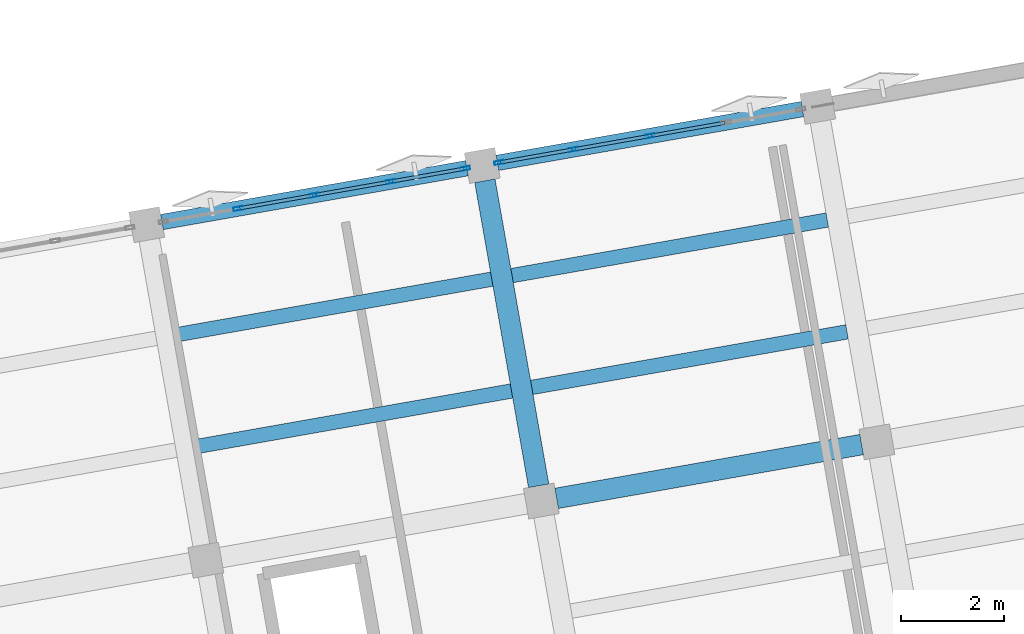
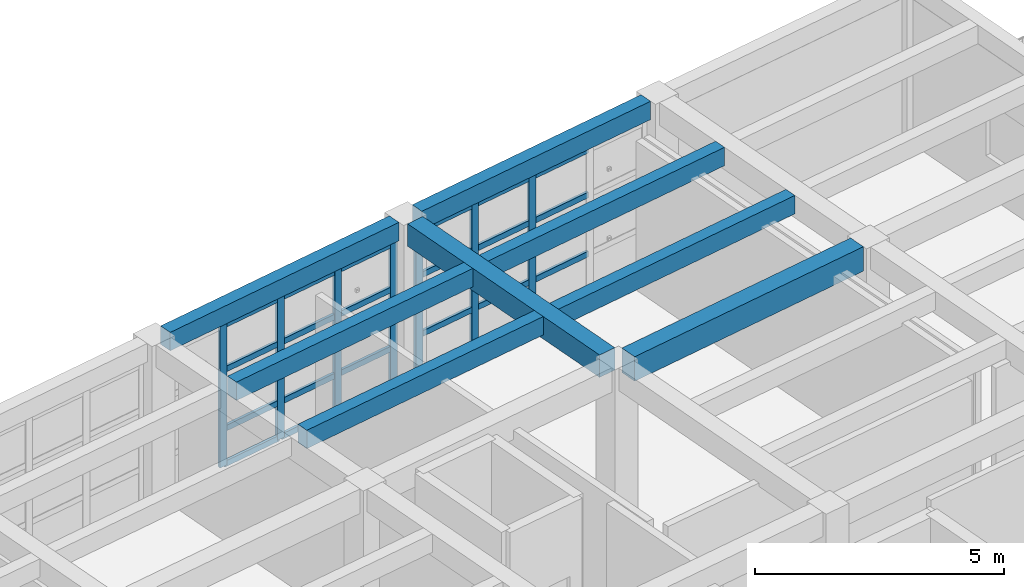
# One storey, part 7 of 18: 31 members, 8 beams, 2 elements without a shape of their own.
"""IFC4 building model written with IfcOpenShell, lengths in metres."""

from ifc_helpers import new_model, si_unit, direction, frame, origin, origin_2d, place, context, subcontext, project, spatial, rectangle, hollow_rectangle, extrude, material, layer, layer_set, material_profile, profile_set, type_object, element, aggregate, save


model = new_model("IFC4")

# Units and contexts
model_context = context("Model", 3, precision=1e-05, world=origin(), true_north=direction((0.0, 1.0)))
body_context = subcontext(model_context, "Body", "Model", "MODEL_VIEW")
ifc_project = project(units=[si_unit("LENGTHUNIT", "METRE"), si_unit("AREAUNIT", "SQUARE_METRE"), si_unit("VOLUMEUNIT", "CUBIC_METRE"), si_unit("PLANEANGLEUNIT", "RADIAN"), si_unit("MASSUNIT", "GRAM", prefix="KILO")], contexts=[model_context])

# Site, building, storey
site_placement = place(None, origin())
site = spatial("IfcSite", under=ifc_project, at=site_placement, CompositionType="ELEMENT")
building_placement = place(site_placement, origin())
building = spatial("IfcBuilding", under=site, at=building_placement, Name="Kharisveld Research Institute", CompositionType="ELEMENT")
storey_placement = place(building_placement, frame((0.0, 0.0, 36.60009765625)))
storey = spatial("IfcBuildingStorey", under=building, at=storey_placement, Name="L08", CompositionType="ELEMENT", Elevation=36.60009765625)

# Beams
ifc_material_1 = material(Name="Concrete C40/50", Category="concrete")
ifc_material_profile_1 = material_profile(ifc_material_1, rectangle(XDim=0.39990234375, YDim=0.550048828125, at=origin_2d()))
ifc_profile_set_1 = profile_set([ifc_material_profile_1], Name="Concrete C40/50")
beam_type_1 = type_object("IfcBeamType", Name="BM_RC_400x550", PredefinedType="BEAM", material=ifc_profile_set_1)
beam_1_placement = place(storey_placement, frame((22.35498046875, 51.7431640625, 3.744873046875), z_axis=(-0.173662308598, 0.984805261243, 0.0), x_axis=(-0.984805261243, -0.173662308598, 0.0)))
element("IfcBeam", 1, at=beam_1_placement, inside=storey, type_object=beam_type_1, Name="BM:V1:L08:V3_2", PredefinedType="BEAM", context=body_context, shape_type="SweptSolid", body=[
    extrude(rectangle(XDim=0.39990234375, YDim=0.550048828125, at=origin_2d()), origin(), (0.0, 0.0, 1.0), 6.0),
])
ifc_material_2 = material(Name="Concrete C40/50", Category="concrete")
ifc_material_profile_2 = material_profile(ifc_material_2, rectangle(XDim=0.39990234375, YDim=0.60009765625, at=origin_2d()))
ifc_profile_set_2 = profile_set([ifc_material_profile_2], Name="Concrete C40/50")
beam_type_2 = type_object("IfcBeamType", Name="BM_RC_400x600", PredefinedType="BEAM", material=ifc_profile_set_2)
beam_2_placement = place(storey_placement, frame((22.702392578125, 51.499755859375, 3.719970703125), z_axis=(0.984805261243, 0.173662308598, 0.0), x_axis=(-0.173662308598, 0.984805261243, 0.0)))
element("IfcBeam", 2, at=beam_2_placement, inside=storey, type_object=beam_type_2, Name="BM:V1:L08:U3_2", PredefinedType="BEAM", context=body_context, shape_type="SweptSolid", body=[
    extrude(rectangle(XDim=0.39990234375, YDim=0.60009765625, at=origin_2d()), origin(), (0.0, 0.0, 1.0), 6.0),
])

# Curtain wall, members
ifc_material_3 = material(Name="Thermally Broken Aluminium Curtain Wall", Category="aluminium")
ifc_layer_1 = layer(ifc_material_3, 0.159912109375)
ifc_layer_set_1 = layer_set([ifc_layer_1], Name="CW_SYS_03")
curtain_wall_type_1 = type_object("IfcCurtainWallType", Name="CW_SYS_03", PredefinedType="NOTDEFINED", material=ifc_layer_set_1)
curtain_wall_1_placement = place(storey_placement, origin())
curtain_wall_1 = element("IfcCurtainWall", 3, at=curtain_wall_1_placement, inside=storey, type_object=curtain_wall_type_1, Name="CW:V1:L08:N2", PredefinedType="NOTDEFINED")
ifc_material_4 = material(Name="Anodised Aluminium AW-6063-T6", Category="aluminium")
ifc_material_profile_3 = material_profile(ifc_material_4, hollow_rectangle(XDim=0.070068359375, YDim=0.179931640625, WallThickness=0.00439453125, at=origin_2d()))
ifc_profile_set_3 = profile_set([ifc_material_profile_3], Name="Anodised Aluminium AW-6063-T6")
member_type_1 = type_object("IfcMemberType", Name="CW_MUL_180", PredefinedType="MULLION", material=ifc_profile_set_3)
member_1_placement = place(storey_placement, frame((16.531494140625, 57.113525390625, 0.0), z_axis=(0.0, 0.0, 1.0), x_axis=(-0.173648210685, 0.98480774719, 0.0)))
member_1 = element("IfcMember", 4, at=member_1_placement, type_object=member_type_1, Name="CW-03 mullion 2", PredefinedType="MULLION", context=body_context, shape_type="SweptSolid", body=[
    extrude(hollow_rectangle(XDim=0.070068359375, YDim=0.179931640625, WallThickness=0.00439453125, at=origin_2d()), origin(), (0.0, 0.0, 1.0), 3.47998046875),
])
member_2_placement = place(storey_placement, frame((18.010986328125, 57.374267578125, 0.0), z_axis=(0.0, 0.0, 1.0), x_axis=(-0.173648210685, 0.98480774719, 0.0)))
member_2 = element("IfcMember", 5, at=member_2_placement, type_object=member_type_1, Name="CW-03 mullion 3", PredefinedType="MULLION", context=body_context, shape_type="SweptSolid", body=[
    extrude(hollow_rectangle(XDim=0.070068359375, YDim=0.179931640625, WallThickness=0.00439453125, at=origin_2d()), origin(), (0.0, 0.0, 1.0), 3.47998046875),
])
member_3_placement = place(storey_placement, frame((19.49072265625, 57.63525390625, 0.0), z_axis=(0.0, 0.0, 1.0), x_axis=(-0.173648210685, 0.98480774719, 0.0)))
member_3 = element("IfcMember", 6, at=member_3_placement, type_object=member_type_1, Name="CW-03 mullion 4", PredefinedType="MULLION", context=body_context, shape_type="SweptSolid", body=[
    extrude(hollow_rectangle(XDim=0.070068359375, YDim=0.179931640625, WallThickness=0.00439453125, at=origin_2d()), origin(), (0.0, 0.0, 1.0), 3.47998046875),
])
member_4_placement = place(storey_placement, frame((20.93603515625, 57.89013671875, 0.0), z_axis=(0.0, 0.0, 1.0), x_axis=(-0.173648210685, 0.98480774719, 0.0)))
member_4 = element("IfcMember", 7, at=member_4_placement, type_object=member_type_1, Name="CW-03 mullion 5", PredefinedType="MULLION", context=body_context, shape_type="SweptSolid", body=[
    extrude(hollow_rectangle(XDim=0.070068359375, YDim=0.179931640625, WallThickness=0.00439453125, at=origin_2d()), origin(), (0.0, 0.0, 1.0), 3.47998046875),
])

ifc_material_5 = material(Name="Thermally Broken Aluminium Curtain Wall", Category="aluminium")
ifc_layer_2 = layer(ifc_material_5, 0.159912109375)
ifc_layer_set_2 = layer_set([ifc_layer_2], Name="CW_SYS_04")
curtain_wall_type_2 = type_object("IfcCurtainWallType", Name="CW_SYS_04", PredefinedType="NOTDEFINED", material=ifc_layer_set_2)
curtain_wall_2_placement = place(storey_placement, origin())
curtain_wall_2 = element("IfcCurtainWall", 8, at=curtain_wall_2_placement, inside=storey, type_object=curtain_wall_type_2, Name="CW:V1:L08:N3", PredefinedType="NOTDEFINED")
member_5_placement = place(storey_placement, frame((21.5859375, 58.004638671875, 0.0), z_axis=(0.0, 0.0, 1.0), x_axis=(-0.173648239132, 0.984807742174, 0.0)))
member_5 = element("IfcMember", 9, at=member_5_placement, type_object=member_type_1, Name="CW-04 mullion 1", PredefinedType="MULLION", context=body_context, shape_type="SweptSolid", body=[
    extrude(hollow_rectangle(XDim=0.070068359375, YDim=0.179931640625, WallThickness=0.00439453125, at=origin_2d()), origin(), (0.0, 0.0, 1.0), 3.47998046875),
])
member_6_placement = place(storey_placement, frame((23.03125, 58.259521484375, 0.0), z_axis=(0.0, 0.0, 1.0), x_axis=(-0.173648239132, 0.984807742174, 0.0)))
member_6 = element("IfcMember", 10, at=member_6_placement, type_object=member_type_1, Name="CW-04 mullion 2", PredefinedType="MULLION", context=body_context, shape_type="SweptSolid", body=[
    extrude(hollow_rectangle(XDim=0.070068359375, YDim=0.179931640625, WallThickness=0.00439453125, at=origin_2d()), origin(), (0.0, 0.0, 1.0), 3.47998046875),
])
member_7_placement = place(storey_placement, frame((24.5107421875, 58.5205078125, 0.0), z_axis=(0.0, 0.0, 1.0), x_axis=(-0.173648239132, 0.984807742174, 0.0)))
member_7 = element("IfcMember", 11, at=member_7_placement, type_object=member_type_1, Name="CW-04 mullion 3", PredefinedType="MULLION", context=body_context, shape_type="SweptSolid", body=[
    extrude(hollow_rectangle(XDim=0.070068359375, YDim=0.179931640625, WallThickness=0.00439453125, at=origin_2d()), origin(), (0.0, 0.0, 1.0), 3.47998046875),
])

# Member
ifc_material_6 = material(Name="Anodised Aluminium AW-6063-T6", Category="aluminium")
ifc_material_profile_4 = material_profile(ifc_material_6, hollow_rectangle(XDim=0.06494140625, YDim=0.139892578125, WallThickness=0.00390625, at=origin_2d()))
ifc_profile_set_4 = profile_set([ifc_material_profile_4], Name="Anodised Aluminium AW-6063-T6")
member_type_2 = type_object("IfcMemberType", Name="CW_TRN_140", PredefinedType="USERDEFINED", material=ifc_profile_set_4)
member_8_placement = place(storey_placement, frame((16.56591796875, 57.11962890625, 0.032470703125), z_axis=(0.98480242724, 0.173678378913, 0.0), x_axis=(-0.173678378913, 0.98480242724, 0.0)))
member_8 = element("IfcMember", 12, at=member_8_placement, type_object=member_type_2, Name="CW-03 transom 2.1", ObjectType="TRANSOM", PredefinedType="USERDEFINED", context=body_context, shape_type="SweptSolid", body=[
    extrude(hollow_rectangle(XDim=0.06494140625, YDim=0.139892578125, WallThickness=0.00390625, at=origin_2d()), origin(), (0.0, 0.0, 1.0), 1.432373046875),
])

member_9_placement = place(storey_placement, frame((16.56591796875, 57.11962890625, 0.89990234375), z_axis=(0.98480242724, 0.173678378913, 0.0), x_axis=(-0.173678378913, 0.98480242724, 0.0)))
member_9 = element("IfcMember", 13, at=member_9_placement, type_object=member_type_2, Name="CW-03 transom 2.2", ObjectType="TRANSOM", PredefinedType="USERDEFINED", context=body_context, shape_type="SweptSolid", body=[
    extrude(hollow_rectangle(XDim=0.06494140625, YDim=0.139892578125, WallThickness=0.00390625, at=origin_2d()), origin(), (0.0, 0.0, 1.0), 1.432373046875),
])

member_10_placement = place(storey_placement, frame((16.56591796875, 57.11962890625, 2.349853515625), z_axis=(0.98480242724, 0.173678378913, 0.0), x_axis=(-0.173678378913, 0.98480242724, 0.0)))
member_10 = element("IfcMember", 14, at=member_10_placement, type_object=member_type_2, Name="CW-03 transom 2.3", ObjectType="TRANSOM", PredefinedType="USERDEFINED", context=body_context, shape_type="SweptSolid", body=[
    extrude(hollow_rectangle(XDim=0.06494140625, YDim=0.139892578125, WallThickness=0.00390625, at=origin_2d()), origin(), (0.0, 0.0, 1.0), 1.432373046875),
])

member_11_placement = place(storey_placement, frame((16.56591796875, 57.11962890625, 3.447509765625), z_axis=(0.98480242724, 0.173678378913, 0.0), x_axis=(-0.173678378913, 0.98480242724, 0.0)))
member_11 = element("IfcMember", 15, at=member_11_placement, type_object=member_type_2, Name="CW-03 transom 2.4", ObjectType="TRANSOM", PredefinedType="USERDEFINED", context=body_context, shape_type="SweptSolid", body=[
    extrude(hollow_rectangle(XDim=0.06494140625, YDim=0.139892578125, WallThickness=0.00390625, at=origin_2d()), origin(), (0.0, 0.0, 1.0), 1.432373046875),
])

member_12_placement = place(storey_placement, frame((18.045654296875, 57.38037109375, 0.032470703125), z_axis=(0.98480242724, 0.173678378913, 0.0), x_axis=(-0.173678378913, 0.98480242724, 0.0)))
member_12 = element("IfcMember", 16, at=member_12_placement, type_object=member_type_2, Name="CW-03 transom 3.1", ObjectType="TRANSOM", PredefinedType="USERDEFINED", context=body_context, shape_type="SweptSolid", body=[
    extrude(hollow_rectangle(XDim=0.06494140625, YDim=0.139892578125, WallThickness=0.00390625, at=origin_2d()), origin(), (0.0, 0.0, 1.0), 1.432373046875),
])

member_13_placement = place(storey_placement, frame((18.045654296875, 57.38037109375, 0.89990234375), z_axis=(0.98480242724, 0.173678378913, 0.0), x_axis=(-0.173678378913, 0.98480242724, 0.0)))
member_13 = element("IfcMember", 17, at=member_13_placement, type_object=member_type_2, Name="CW-03 transom 3.2", ObjectType="TRANSOM", PredefinedType="USERDEFINED", context=body_context, shape_type="SweptSolid", body=[
    extrude(hollow_rectangle(XDim=0.06494140625, YDim=0.139892578125, WallThickness=0.00390625, at=origin_2d()), origin(), (0.0, 0.0, 1.0), 1.432373046875),
])

member_14_placement = place(storey_placement, frame((18.045654296875, 57.38037109375, 2.349853515625), z_axis=(0.98480242724, 0.173678378913, 0.0), x_axis=(-0.173678378913, 0.98480242724, 0.0)))
member_14 = element("IfcMember", 18, at=member_14_placement, type_object=member_type_2, Name="CW-03 transom 3.3", ObjectType="TRANSOM", PredefinedType="USERDEFINED", context=body_context, shape_type="SweptSolid", body=[
    extrude(hollow_rectangle(XDim=0.06494140625, YDim=0.139892578125, WallThickness=0.00390625, at=origin_2d()), origin(), (0.0, 0.0, 1.0), 1.432373046875),
])

member_15_placement = place(storey_placement, frame((18.045654296875, 57.38037109375, 3.447509765625), z_axis=(0.98480242724, 0.173678378913, 0.0), x_axis=(-0.173678378913, 0.98480242724, 0.0)))
member_15 = element("IfcMember", 19, at=member_15_placement, type_object=member_type_2, Name="CW-03 transom 3.4", ObjectType="TRANSOM", PredefinedType="USERDEFINED", context=body_context, shape_type="SweptSolid", body=[
    extrude(hollow_rectangle(XDim=0.06494140625, YDim=0.139892578125, WallThickness=0.00390625, at=origin_2d()), origin(), (0.0, 0.0, 1.0), 1.432373046875),
])

member_16_placement = place(storey_placement, frame((19.525146484375, 57.641357421875, 0.032470703125), z_axis=(0.984811681312, 0.173625897698, 0.0), x_axis=(-0.173625897698, 0.984811681312, 0.0)))
member_16 = element("IfcMember", 20, at=member_16_placement, type_object=member_type_2, Name="CW-03 transom 4.1", ObjectType="TRANSOM", PredefinedType="USERDEFINED", context=body_context, shape_type="SweptSolid", body=[
    extrude(hollow_rectangle(XDim=0.06494140625, YDim=0.139892578125, WallThickness=0.00390625, at=origin_2d()), origin(), (0.0, 0.0, 1.0), 1.397705078125),
])

member_17_placement = place(storey_placement, frame((19.525146484375, 57.641357421875, 0.89990234375), z_axis=(0.984811681312, 0.173625897698, 0.0), x_axis=(-0.173625897698, 0.984811681312, 0.0)))
member_17 = element("IfcMember", 21, at=member_17_placement, type_object=member_type_2, Name="CW-03 transom 4.2", ObjectType="TRANSOM", PredefinedType="USERDEFINED", context=body_context, shape_type="SweptSolid", body=[
    extrude(hollow_rectangle(XDim=0.06494140625, YDim=0.139892578125, WallThickness=0.00390625, at=origin_2d()), origin(), (0.0, 0.0, 1.0), 1.397705078125),
])

member_18_placement = place(storey_placement, frame((19.525146484375, 57.641357421875, 2.349853515625), z_axis=(0.984811681312, 0.173625897698, 0.0), x_axis=(-0.173625897698, 0.984811681312, 0.0)))
member_18 = element("IfcMember", 22, at=member_18_placement, type_object=member_type_2, Name="CW-03 transom 4.3", ObjectType="TRANSOM", PredefinedType="USERDEFINED", context=body_context, shape_type="SweptSolid", body=[
    extrude(hollow_rectangle(XDim=0.06494140625, YDim=0.139892578125, WallThickness=0.00390625, at=origin_2d()), origin(), (0.0, 0.0, 1.0), 1.397705078125),
])

member_19_placement = place(storey_placement, frame((19.525146484375, 57.641357421875, 3.447509765625), z_axis=(0.984811681312, 0.173625897698, 0.0), x_axis=(-0.173625897698, 0.984811681312, 0.0)))
member_19 = element("IfcMember", 23, at=member_19_placement, type_object=member_type_2, Name="CW-03 transom 4.4", ObjectType="TRANSOM", PredefinedType="USERDEFINED", context=body_context, shape_type="SweptSolid", body=[
    extrude(hollow_rectangle(XDim=0.06494140625, YDim=0.139892578125, WallThickness=0.00390625, at=origin_2d()), origin(), (0.0, 0.0, 1.0), 1.397705078125),
])

aggregate(curtain_wall_1, [member_1, member_2, member_3, member_4, member_8, member_9, member_10, member_11, member_12, member_13, member_14, member_15, member_16, member_17, member_18, member_19])

member_20_placement = place(storey_placement, frame((21.620361328125, 58.0107421875, 0.032470703125), z_axis=(0.984806414241, 0.173655770047, 0.0), x_axis=(-0.173655770047, 0.984806414241, 0.0)))
member_20 = element("IfcMember", 24, at=member_20_placement, type_object=member_type_2, Name="CW-04 transom 1.1", ObjectType="TRANSOM", PredefinedType="USERDEFINED", context=body_context, shape_type="SweptSolid", body=[
    extrude(hollow_rectangle(XDim=0.06494140625, YDim=0.139892578125, WallThickness=0.00390625, at=origin_2d()), origin(), (0.0, 0.0, 1.0), 1.3974609375),
])

member_21_placement = place(storey_placement, frame((21.620361328125, 58.0107421875, 0.89990234375), z_axis=(0.984806414241, 0.173655770047, 0.0), x_axis=(-0.173655770047, 0.984806414241, 0.0)))
member_21 = element("IfcMember", 25, at=member_21_placement, type_object=member_type_2, Name="CW-04 transom 1.2", ObjectType="TRANSOM", PredefinedType="USERDEFINED", context=body_context, shape_type="SweptSolid", body=[
    extrude(hollow_rectangle(XDim=0.06494140625, YDim=0.139892578125, WallThickness=0.00390625, at=origin_2d()), origin(), (0.0, 0.0, 1.0), 1.3974609375),
])

member_22_placement = place(storey_placement, frame((21.620361328125, 58.0107421875, 2.349853515625), z_axis=(0.984806414241, 0.173655770047, 0.0), x_axis=(-0.173655770047, 0.984806414241, 0.0)))
member_22 = element("IfcMember", 26, at=member_22_placement, type_object=member_type_2, Name="CW-04 transom 1.3", ObjectType="TRANSOM", PredefinedType="USERDEFINED", context=body_context, shape_type="SweptSolid", body=[
    extrude(hollow_rectangle(XDim=0.06494140625, YDim=0.139892578125, WallThickness=0.00390625, at=origin_2d()), origin(), (0.0, 0.0, 1.0), 1.3974609375),
])

member_23_placement = place(storey_placement, frame((21.620361328125, 58.0107421875, 3.447509765625), z_axis=(0.984806414241, 0.173655770047, 0.0), x_axis=(-0.173655770047, 0.984806414241, 0.0)))
member_23 = element("IfcMember", 27, at=member_23_placement, type_object=member_type_2, Name="CW-04 transom 1.4", ObjectType="TRANSOM", PredefinedType="USERDEFINED", context=body_context, shape_type="SweptSolid", body=[
    extrude(hollow_rectangle(XDim=0.06494140625, YDim=0.139892578125, WallThickness=0.00390625, at=origin_2d()), origin(), (0.0, 0.0, 1.0), 1.3974609375),
])

member_24_placement = place(storey_placement, frame((23.065673828125, 58.265625, 0.032470703125), z_axis=(0.98480242724, 0.173678378913, 0.0), x_axis=(-0.173678378913, 0.98480242724, 0.0)))
member_24 = element("IfcMember", 28, at=member_24_placement, type_object=member_type_2, Name="CW-04 transom 2.1", ObjectType="TRANSOM", PredefinedType="USERDEFINED", context=body_context, shape_type="SweptSolid", body=[
    extrude(hollow_rectangle(XDim=0.06494140625, YDim=0.139892578125, WallThickness=0.00390625, at=origin_2d()), origin(), (0.0, 0.0, 1.0), 1.432373046875),
])

member_25_placement = place(storey_placement, frame((23.065673828125, 58.265625, 0.89990234375), z_axis=(0.98480242724, 0.173678378913, 0.0), x_axis=(-0.173678378913, 0.98480242724, 0.0)))
member_25 = element("IfcMember", 29, at=member_25_placement, type_object=member_type_2, Name="CW-04 transom 2.2", ObjectType="TRANSOM", PredefinedType="USERDEFINED", context=body_context, shape_type="SweptSolid", body=[
    extrude(hollow_rectangle(XDim=0.06494140625, YDim=0.139892578125, WallThickness=0.00390625, at=origin_2d()), origin(), (0.0, 0.0, 1.0), 1.432373046875),
])

member_26_placement = place(storey_placement, frame((23.065673828125, 58.265625, 2.349853515625), z_axis=(0.98480242724, 0.173678378913, 0.0), x_axis=(-0.173678378913, 0.98480242724, 0.0)))
member_26 = element("IfcMember", 30, at=member_26_placement, type_object=member_type_2, Name="CW-04 transom 2.3", ObjectType="TRANSOM", PredefinedType="USERDEFINED", context=body_context, shape_type="SweptSolid", body=[
    extrude(hollow_rectangle(XDim=0.06494140625, YDim=0.139892578125, WallThickness=0.00390625, at=origin_2d()), origin(), (0.0, 0.0, 1.0), 1.432373046875),
])

member_27_placement = place(storey_placement, frame((23.065673828125, 58.265625, 3.447509765625), z_axis=(0.98480242724, 0.173678378913, 0.0), x_axis=(-0.173678378913, 0.98480242724, 0.0)))
member_27 = element("IfcMember", 31, at=member_27_placement, type_object=member_type_2, Name="CW-04 transom 2.4", ObjectType="TRANSOM", PredefinedType="USERDEFINED", context=body_context, shape_type="SweptSolid", body=[
    extrude(hollow_rectangle(XDim=0.06494140625, YDim=0.139892578125, WallThickness=0.00390625, at=origin_2d()), origin(), (0.0, 0.0, 1.0), 1.432373046875),
])

member_28_placement = place(storey_placement, frame((24.54541015625, 58.526611328125, 0.032470703125), z_axis=(0.98480242724, 0.173678378913, 0.0), x_axis=(-0.173678378913, 0.98480242724, 0.0)))
member_28 = element("IfcMember", 32, at=member_28_placement, type_object=member_type_2, Name="CW-04 transom 3.1", ObjectType="TRANSOM", PredefinedType="USERDEFINED", context=body_context, shape_type="SweptSolid", body=[
    extrude(hollow_rectangle(XDim=0.06494140625, YDim=0.139892578125, WallThickness=0.00390625, at=origin_2d()), origin(), (0.0, 0.0, 1.0), 1.432373046875),
])

member_29_placement = place(storey_placement, frame((24.54541015625, 58.526611328125, 0.89990234375), z_axis=(0.98480242724, 0.173678378913, 0.0), x_axis=(-0.173678378913, 0.98480242724, 0.0)))
member_29 = element("IfcMember", 33, at=member_29_placement, type_object=member_type_2, Name="CW-04 transom 3.2", ObjectType="TRANSOM", PredefinedType="USERDEFINED", context=body_context, shape_type="SweptSolid", body=[
    extrude(hollow_rectangle(XDim=0.06494140625, YDim=0.139892578125, WallThickness=0.00390625, at=origin_2d()), origin(), (0.0, 0.0, 1.0), 1.432373046875),
])

member_30_placement = place(storey_placement, frame((24.54541015625, 58.526611328125, 2.349853515625), z_axis=(0.98480242724, 0.173678378913, 0.0), x_axis=(-0.173678378913, 0.98480242724, 0.0)))
member_30 = element("IfcMember", 34, at=member_30_placement, type_object=member_type_2, Name="CW-04 transom 3.3", ObjectType="TRANSOM", PredefinedType="USERDEFINED", context=body_context, shape_type="SweptSolid", body=[
    extrude(hollow_rectangle(XDim=0.06494140625, YDim=0.139892578125, WallThickness=0.00390625, at=origin_2d()), origin(), (0.0, 0.0, 1.0), 1.432373046875),
])

member_31_placement = place(storey_placement, frame((24.54541015625, 58.526611328125, 3.447509765625), z_axis=(0.98480242724, 0.173678378913, 0.0), x_axis=(-0.173678378913, 0.98480242724, 0.0)))
member_31 = element("IfcMember", 35, at=member_31_placement, type_object=member_type_2, Name="CW-04 transom 3.4", ObjectType="TRANSOM", PredefinedType="USERDEFINED", context=body_context, shape_type="SweptSolid", body=[
    extrude(hollow_rectangle(XDim=0.06494140625, YDim=0.139892578125, WallThickness=0.00390625, at=origin_2d()), origin(), (0.0, 0.0, 1.0), 1.432373046875),
])

aggregate(curtain_wall_2, [member_5, member_6, member_7, member_20, member_21, member_22, member_23, member_24, member_25, member_26, member_27, member_28, member_29, member_30, member_31])

# Beams
ifc_material_7 = material(Name="Concrete C40/50", Category="concrete")
ifc_material_profile_5 = material_profile(ifc_material_7, rectangle(XDim=0.300048828125, YDim=0.449951171875, at=origin_2d()))
ifc_profile_set_5 = profile_set([ifc_material_profile_5], Name="Concrete C40/50")
beam_type_3 = type_object("IfcBeamType", Name="SP_RC_300x450", PredefinedType="SPANDREL", material=ifc_profile_set_5)
for number, where, z_axis, x_axis, name in (
    (36, (15.056640625, 56.853515625, 3.794921875), (0.984812219346, 0.173622845926, 0.0), (-0.173622845926, 0.984812219346, 0.0), "BM:V1:L08:U2_3"),
    (37, (21.556396484375, 57.99951171875, 3.794921875), (0.984805261243, 0.173662308598, 0.0), (-0.173662308598, 0.984805261243, 0.0), "BM:V1:L08:U3_3"),
):
    element("IfcBeam", number, at=place(storey_placement, frame(where, z_axis=z_axis, x_axis=x_axis)), inside=storey, type_object=beam_type_3, Name=name, PredefinedType="SPANDREL", context=body_context, shape_type="SweptSolid", body=[
        extrude(rectangle(XDim=0.300048828125, YDim=0.449951171875, at=origin_2d()), origin(), (0.0, 0.0, 1.0), 6.0),
    ])
ifc_material_8 = material(Name="Concrete C40/50", Category="concrete")
ifc_material_profile_6 = material_profile(ifc_material_8, rectangle(XDim=0.280029296875, YDim=0.449951171875, at=origin_2d()))
ifc_profile_set_6 = profile_set([ifc_material_profile_6], Name="Concrete C40/50")
beam_type_4 = type_object("IfcBeamType", Name="WB_RC_280x450", PredefinedType="JOIST", material=ifc_profile_set_6)
beam_3_placement = place(storey_placement, frame((15.72216796875, 52.5029296875, 3.794921875), z_axis=(0.984807334084, 0.173650553511, 0.0), x_axis=(-0.173650553511, 0.984807334084, 0.0)))
element("IfcBeam", 38, at=beam_3_placement, inside=storey, type_object=beam_type_4, Name="BM:V1:L08:J_2_2_R1", PredefinedType="JOIST", context=body_context, shape_type="SweptSolid", body=[
    extrude(rectangle(XDim=0.280029296875, YDim=0.449951171875, at=origin_2d()), origin(), (0.0, 0.0, 1.0), 6.2001953125),
])
beam_4_placement = place(storey_placement, frame((15.34033203125, 54.66943359375, 3.794921875), z_axis=(0.984806146634, 0.173657287643, 0.0), x_axis=(-0.173657287643, 0.984806146634, 0.0)))
element("IfcBeam", 39, at=beam_4_placement, inside=storey, type_object=beam_type_4, Name="BM:V1:L08:J_2_2_R2", PredefinedType="JOIST", context=body_context, shape_type="SweptSolid", body=[
    extrude(rectangle(XDim=0.280029296875, YDim=0.449951171875, at=origin_2d()), origin(), (0.0, 0.0, 1.0), 6.199951171875),
])
for number, where, z_axis, x_axis, name in (
    (40, (22.221923828125, 53.64892578125, 3.794921875), (0.984807334084, 0.173650553511, 0.0), (-0.173650553511, 0.984807334084, 0.0), "BM:V1:L08:J_3_2_R1"),
    (41, (21.83984375, 55.815673828125, 3.794921875), (0.984814067264, 0.173612363957, 0.0), (-0.173612363957, 0.984814067264, 0.0), "BM:V1:L08:J_3_2_R2"),
):
    element("IfcBeam", number, at=place(storey_placement, frame(where, z_axis=z_axis, x_axis=x_axis)), inside=storey, type_object=beam_type_4, Name=name, PredefinedType="JOIST", context=body_context, shape_type="SweptSolid", body=[
        extrude(rectangle(XDim=0.280029296875, YDim=0.449951171875, at=origin_2d()), origin(), (0.0, 0.0, 1.0), 6.2001953125),
    ])

save(model, "model.ifc")
